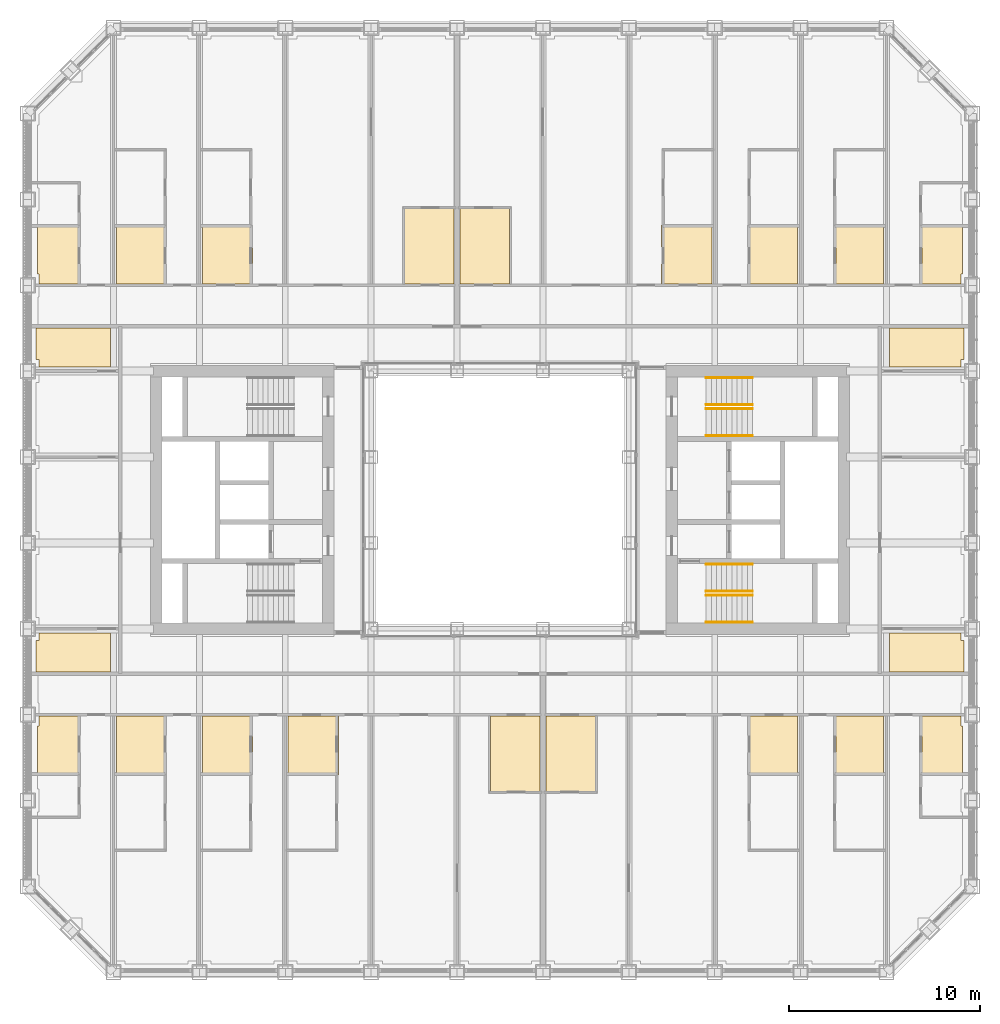
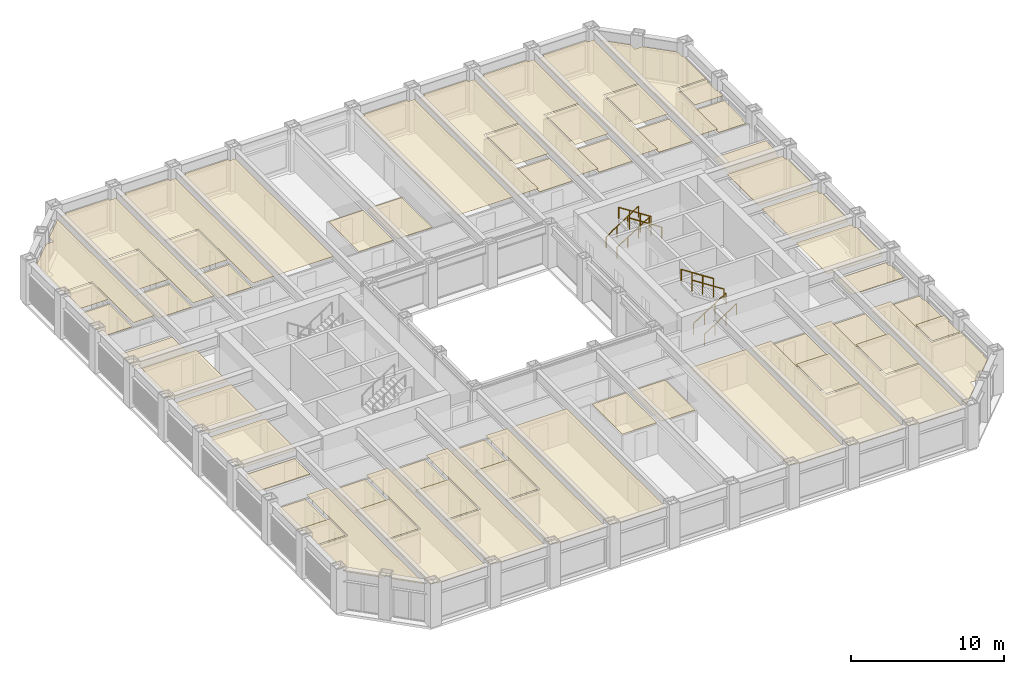
# One storey, part 20 of 21: 8 railings, 3 coverings.
"""IFC4 building model written with IfcOpenShell, lengths in metres."""

from ifc_helpers import new_model, si_unit, direction, frame, origin, origin_2d, place, context, subcontext, project, spatial, line, indexed_curve, circle, outline, extrude, material, layer, layer_set, type_object, element, save


model = new_model("IFC4")

# Units and contexts
model_context = context("Model", 3, precision=1e-05, world=origin(), true_north=direction((0.0, 1.0)))
body_context = subcontext(model_context, "Body", "Model", "MODEL_VIEW")
ifc_project = project(units=[si_unit("LENGTHUNIT", "METRE"), si_unit("AREAUNIT", "SQUARE_METRE"), si_unit("VOLUMEUNIT", "CUBIC_METRE"), si_unit("PLANEANGLEUNIT", "RADIAN"), si_unit("MASSUNIT", "GRAM", prefix="KILO")], contexts=[model_context])

# Site, building, storey
site_placement = place(None, origin())
site = spatial("IfcSite", under=ifc_project, at=site_placement, CompositionType="ELEMENT")
building_placement = place(site_placement, origin())
building = spatial("IfcBuilding", under=site, at=building_placement, Name="Msasa Ring Tower", CompositionType="ELEMENT")
storey_placement = place(building_placement, frame((0.0, 0.0, 82.5)))
storey = spatial("IfcBuildingStorey", under=building, at=storey_placement, Name="L21", CompositionType="ELEMENT", Elevation=82.5)

# Coverings
ifc_material_1 = material(Name="Gypsum plasterboard on a steel suspension grid", Category="steel")
ifc_layer_1 = layer(ifc_material_1, 0.014892578125)
ifc_layer_set_1 = layer_set([ifc_layer_1], Name="C1 SUSPENDED PLASTERBOARD CEILING 15")
covering_type_1 = type_object("IfcCoveringType", Name="C1 SUSPENDED PLASTERBOARD CEILING 15", PredefinedType="CEILING", material=ifc_layer_set_1)
covering_1_placement = place(storey_placement, frame((0.0, 0.0, 2.699951171875)))
element("IfcCovering", 1, at=covering_1_placement, inside=storey, type_object=covering_type_1, Name="Suspended Plasterboard Ceiling 15 L21", PredefinedType="CEILING", context=body_context, shape_type="SweptSolid", body=[
    extrude(outline(indexed_curve([(-24.299560546875, -2.8505859375), (-24.1494140625, -2.8505859375), (-24.1494140625, -2.460693359375), (-20.00048828125, -2.460693359375), (-20.00048828125, -6.539306640625), (-24.1494140625, -6.539306640625), (-24.1494140625, -6.1494140625), (-24.299560546875, -6.1494140625)], segments=[line(1, 2, 3, 4, 5, 6, 7, 8, 1)], self_intersect=False)), origin(), (0.0, 0.0, 1.0), 0.01513671875),
    extrude(outline(indexed_curve([(-24.299560546875, 1.6494140625), (-24.1494140625, 1.6494140625), (-24.1494140625, 2.039306640625), (-20.00048828125, 2.039306640625), (-20.00048828125, -2.039306640625), (-24.1494140625, -2.039306640625), (-24.1494140625, -1.6494140625), (-24.299560546875, -1.6494140625)], segments=[line(1, 2, 3, 4, 5, 6, 7, 8, 1)], self_intersect=False)), origin(), (0.0, 0.0, 1.0), 0.01513671875),
    extrude(outline(indexed_curve([(-24.299560546875, 6.1494140625), (-24.1494140625, 6.1494140625), (-24.1494140625, 6.539306640625), (-20.00048828125, 6.539306640625), (-20.00048828125, 2.460693359375), (-24.1494140625, 2.460693359375), (-24.1494140625, 2.8505859375), (-24.299560546875, 2.8505859375)], segments=[line(1, 2, 3, 4, 5, 6, 7, 8, 1)], self_intersect=False)), origin(), (0.0, 0.0, 1.0), 0.01513671875),
    extrude(outline(indexed_curve([(-22.1005859375, -16.568115234375), (-24.239501953125, -16.568115234375), (-24.239501953125, -16.3505859375), (-24.1494140625, -16.3505859375), (-24.1494140625, -15.1494140625), (-24.239501953125, -15.1494140625), (-24.239501953125, -14.430419921875), (-22.1005859375, -14.430419921875)], segments=[line(1, 2, 3, 4, 5, 6, 7, 8, 1)], self_intersect=False)), origin(), (0.0, 0.0, 1.0), 0.01513671875),
    extrude(outline(indexed_curve([(-22.1005859375, 16.568115234375), (-22.1005859375, 14.430419921875), (-24.239501953125, 14.430419921875), (-24.239501953125, 15.1494140625), (-24.1494140625, 15.1494140625), (-24.1494140625, 16.3505859375), (-24.239501953125, 16.3505859375), (-24.239501953125, 16.568115234375)], segments=[line(1, 2, 3, 4, 5, 6, 7, 8, 1)], self_intersect=False)), origin(), (0.0, 0.0, 1.0), 0.01513671875),
    extrude(outline(indexed_curve([(-21.8994140625, -22.46337890625), (-21.8994140625, -21.8994140625), (-22.46337890625, -21.8994140625), (-24.1494140625, -20.21337890625), (-24.1494140625, -19.6494140625), (-24.23193359375, -19.6494140625), (-24.23193359375, -16.674072265625), (-21.99951171875, -16.674072265625), (-21.99951171875, -11.31298828125), (-20.404296875, -11.31298828125), (-20.404296875, -23.95849609375)], segments=[line(1, 2, 3, 4, 5, 6, 7, 8, 9, 10, 11, 1)], self_intersect=False)), origin(), (0.0, 0.0, 1.0), 0.01513671875),
    extrude(outline(indexed_curve([(-22.46337890625, 21.8994140625), (-21.8994140625, 21.8994140625), (-21.8994140625, 22.46337890625), (-20.404296875, 23.95849609375), (-20.404296875, 11.31298828125), (-21.99951171875, 11.31298828125), (-21.99951171875, 16.674072265625), (-24.23193359375, 16.674072265625), (-24.23193359375, 19.6494140625), (-24.1494140625, 19.6494140625), (-24.1494140625, 20.21337890625)], segments=[line(1, 2, 3, 4, 5, 6, 7, 8, 9, 10, 11, 1)], self_intersect=False)), origin(), (0.0, 0.0, 1.0), 0.01513671875),
    extrude(outline(indexed_curve([(-15.904296875, -11.31298828125), (-15.904296875, -24.1494140625), (-16.3505859375, -24.1494140625), (-16.3505859375, -24.299560546875), (-19.6494140625, -24.299560546875), (-19.6494140625, -24.1494140625), (-20.095703125, -24.1494140625), (-20.095703125, -18.40087890625), (-17.49951171875, -18.40087890625), (-17.49951171875, -11.31298828125)], segments=[line(1, 2, 3, 4, 5, 6, 7, 8, 9, 10, 1)], self_intersect=False)), origin(), (0.0, 0.0, 1.0), 0.01513671875),
    extrude(outline(indexed_curve([(-17.6005859375, -18.294921875), (-20.095703125, -18.294921875), (-20.095703125, -14.430419921875), (-17.6005859375, -14.430419921875)], segments=[line(1, 2, 3, 4, 1)], self_intersect=False)), origin(), (0.0, 0.0, 1.0), 0.01513671875),
    extrude(outline(indexed_curve([(-17.49951171875, 11.31298828125), (-17.49951171875, 18.40087890625), (-20.095703125, 18.40087890625), (-20.095703125, 24.1494140625), (-19.6494140625, 24.1494140625), (-19.6494140625, 24.299560546875), (-16.3505859375, 24.299560546875), (-16.3505859375, 24.1494140625), (-15.904296875, 24.1494140625), (-15.904296875, 11.31298828125)], segments=[line(1, 2, 3, 4, 5, 6, 7, 8, 9, 10, 1)], self_intersect=False)), origin(), (0.0, 0.0, 1.0), 0.01513671875),
    extrude(outline(indexed_curve([(-17.6005859375, 18.294921875), (-17.6005859375, 14.430419921875), (-20.095703125, 14.430419921875), (-20.095703125, 18.294921875)], segments=[line(1, 2, 3, 4, 1)], self_intersect=False)), origin(), (0.0, 0.0, 1.0), 0.01513671875),
    extrude(outline(indexed_curve([(-15.1494140625, -24.299560546875), (-15.1494140625, -24.1494140625), (-15.595703125, -24.1494140625), (-15.595703125, -18.403564453125), (-12.99951171875, -18.403564453125), (-12.99951171875, -11.31298828125), (-11.404296875, -11.31298828125), (-11.404296875, -24.1494140625), (-11.8505859375, -24.1494140625), (-11.8505859375, -24.299560546875)], segments=[line(1, 2, 3, 4, 5, 6, 7, 8, 9, 10, 1)], self_intersect=False)), origin(), (0.0, 0.0, 1.0), 0.01513671875),
    extrude(outline(indexed_curve([(-13.1005859375, -14.430419921875), (-13.1005859375, -18.297607421875), (-15.595703125, -18.297607421875), (-15.595703125, -14.430419921875)], segments=[line(1, 2, 3, 4, 1)], self_intersect=False)), origin(), (0.0, 0.0, 1.0), 0.01513671875),
    extrude(outline(indexed_curve([(-12.99951171875, 11.31298828125), (-12.99951171875, 18.403564453125), (-15.595703125, 18.403564453125), (-15.595703125, 24.1494140625), (-15.1494140625, 24.1494140625), (-15.1494140625, 24.299560546875), (-11.8505859375, 24.299560546875), (-11.8505859375, 24.1494140625), (-11.404296875, 24.1494140625), (-11.404296875, 11.31298828125)], segments=[line(1, 2, 3, 4, 5, 6, 7, 8, 9, 10, 1)], self_intersect=False)), origin(), (0.0, 0.0, 1.0), 0.01513671875),
    extrude(outline(indexed_curve([(-13.1005859375, 18.297607421875), (-13.1005859375, 14.430419921875), (-15.595703125, 14.430419921875), (-15.595703125, 18.297607421875)], segments=[line(1, 2, 3, 4, 1)], self_intersect=False)), origin(), (0.0, 0.0, 1.0), 0.01513671875),
    extrude(outline(indexed_curve([(-10.6494140625, -24.299560546875), (-10.6494140625, -24.1494140625), (-11.095703125, -24.1494140625), (-11.095703125, -18.403564453125), (-8.49951171875, -18.403564453125), (-8.49951171875, -11.31298828125), (-6.904296875, -11.31298828125), (-6.904296875, -24.1494140625), (-7.3505859375, -24.1494140625), (-7.3505859375, -24.299560546875)], segments=[line(1, 2, 3, 4, 5, 6, 7, 8, 9, 10, 1)], self_intersect=False)), origin(), (0.0, 0.0, 1.0), 0.01513671875),
    extrude(outline(indexed_curve([(-8.6005859375, -14.430419921875), (-8.6005859375, -18.297607421875), (-11.095703125, -18.297607421875), (-11.095703125, -14.430419921875)], segments=[line(1, 2, 3, 4, 1)], self_intersect=False)), origin(), (0.0, 0.0, 1.0), 0.01513671875),
    extrude(outline(indexed_curve([(-7.3505859375, 24.299560546875), (-7.3505859375, 24.1494140625), (-6.904296875, 24.1494140625), (-6.904296875, 11.31298828125), (-11.095703125, 11.31298828125), (-11.095703125, 24.1494140625), (-10.6494140625, 24.1494140625), (-10.6494140625, 24.299560546875)], segments=[line(1, 2, 3, 4, 5, 6, 7, 8, 1)], self_intersect=False)), origin(), (0.0, 0.0, 1.0), 0.01513671875),
    extrude(outline(indexed_curve([(-6.1494140625, -24.299560546875), (-6.1494140625, -24.1494140625), (-6.595703125, -24.1494140625), (-6.595703125, -11.31298828125), (-2.404296875, -11.31298828125), (-2.404296875, -24.1494140625), (-2.8505859375, -24.1494140625), (-2.8505859375, -24.299560546875)], segments=[line(1, 2, 3, 4, 5, 6, 7, 8, 1)], self_intersect=False)), origin(), (0.0, 0.0, 1.0), 0.01513671875),
    extrude(outline(indexed_curve([(6.1494140625, 24.299560546875), (6.1494140625, 24.1494140625), (6.595703125, 24.1494140625), (6.595703125, 11.31298828125), (2.404296875, 11.31298828125), (2.404296875, 24.1494140625), (2.8505859375, 24.1494140625), (2.8505859375, 24.299560546875)], segments=[line(1, 2, 3, 4, 5, 6, 7, 8, 1)], self_intersect=False)), origin(), (0.0, 0.0, 1.0), 0.01513671875),
    extrude(outline(indexed_curve([(7.3505859375, -24.299560546875), (7.3505859375, -24.1494140625), (6.904296875, -24.1494140625), (6.904296875, -11.31298828125), (11.095703125, -11.31298828125), (11.095703125, -24.1494140625), (10.6494140625, -24.1494140625), (10.6494140625, -24.299560546875)], segments=[line(1, 2, 3, 4, 5, 6, 7, 8, 1)], self_intersect=False)), origin(), (0.0, 0.0, 1.0), 0.01513671875),
    extrude(outline(indexed_curve([(10.6494140625, 24.299560546875), (10.6494140625, 24.1494140625), (11.095703125, 24.1494140625), (11.095703125, 18.403564453125), (8.49951171875, 18.403564453125), (8.49951171875, 11.31298828125), (6.904296875, 11.31298828125), (6.904296875, 24.1494140625), (7.3505859375, 24.1494140625), (7.3505859375, 24.299560546875)], segments=[line(1, 2, 3, 4, 5, 6, 7, 8, 9, 10, 1)], self_intersect=False)), origin(), (0.0, 0.0, 1.0), 0.01513671875),
    extrude(outline(indexed_curve([(11.095703125, 18.297607421875), (11.095703125, 14.430419921875), (8.6005859375, 14.430419921875), (8.6005859375, 18.297607421875)], segments=[line(1, 2, 3, 4, 1)], self_intersect=False)), origin(), (0.0, 0.0, 1.0), 0.01513671875),
    extrude(outline(indexed_curve([(12.99951171875, -11.31298828125), (12.99951171875, -18.403564453125), (15.595703125, -18.403564453125), (15.595703125, -24.1494140625), (15.1494140625, -24.1494140625), (15.1494140625, -24.299560546875), (11.8505859375, -24.299560546875), (11.8505859375, -24.1494140625), (11.404296875, -24.1494140625), (11.404296875, -11.31298828125)], segments=[line(1, 2, 3, 4, 5, 6, 7, 8, 9, 10, 1)], self_intersect=False)), origin(), (0.0, 0.0, 1.0), 0.01513671875),
    extrude(outline(indexed_curve([(15.1494140625, 24.299560546875), (15.1494140625, 24.1494140625), (15.595703125, 24.1494140625), (15.595703125, 18.403564453125), (12.99951171875, 18.403564453125), (12.99951171875, 11.31298828125), (11.404296875, 11.31298828125), (11.404296875, 24.1494140625), (11.8505859375, 24.1494140625), (11.8505859375, 24.299560546875)], segments=[line(1, 2, 3, 4, 5, 6, 7, 8, 9, 10, 1)], self_intersect=False)), origin(), (0.0, 0.0, 1.0), 0.01513671875),
    extrude(outline(indexed_curve([(15.595703125, -14.430419921875), (15.595703125, -18.297607421875), (13.1005859375, -18.297607421875), (13.1005859375, -14.430419921875)], segments=[line(1, 2, 3, 4, 1)], self_intersect=False)), origin(), (0.0, 0.0, 1.0), 0.01513671875),
    extrude(outline(indexed_curve([(15.595703125, 18.297607421875), (15.595703125, 14.430419921875), (13.1005859375, 14.430419921875), (13.1005859375, 18.297607421875)], segments=[line(1, 2, 3, 4, 1)], self_intersect=False)), origin(), (0.0, 0.0, 1.0), 0.01513671875),
    extrude(outline(indexed_curve([(16.3505859375, -24.299560546875), (16.3505859375, -24.1494140625), (15.904296875, -24.1494140625), (15.904296875, -11.31298828125), (17.49951171875, -11.31298828125), (17.49951171875, -18.40087890625), (20.095703125, -18.40087890625), (20.095703125, -24.1494140625), (19.6494140625, -24.1494140625), (19.6494140625, -24.299560546875)], segments=[line(1, 2, 3, 4, 5, 6, 7, 8, 9, 10, 1)], self_intersect=False)), origin(), (0.0, 0.0, 1.0), 0.01513671875),
    extrude(outline(indexed_curve([(19.6494140625, 24.299560546875), (19.6494140625, 24.1494140625), (20.095703125, 24.1494140625), (20.095703125, 18.40087890625), (17.49951171875, 18.40087890625), (17.49951171875, 11.31298828125), (15.904296875, 11.31298828125), (15.904296875, 24.1494140625), (16.3505859375, 24.1494140625), (16.3505859375, 24.299560546875)], segments=[line(1, 2, 3, 4, 5, 6, 7, 8, 9, 10, 1)], self_intersect=False)), origin(), (0.0, 0.0, 1.0), 0.01513671875),
    extrude(outline(indexed_curve([(20.095703125, -14.430419921875), (20.095703125, -18.294921875), (17.6005859375, -18.294921875), (17.6005859375, -14.430419921875)], segments=[line(1, 2, 3, 4, 1)], self_intersect=False)), origin(), (0.0, 0.0, 1.0), 0.01513671875),
    extrude(outline(indexed_curve([(20.095703125, 18.294921875), (20.095703125, 14.430419921875), (17.6005859375, 14.430419921875), (17.6005859375, 18.294921875)], segments=[line(1, 2, 3, 4, 1)], self_intersect=False)), origin(), (0.0, 0.0, 1.0), 0.01513671875),
    extrude(outline(indexed_curve([(24.299560546875, -6.1494140625), (24.1494140625, -6.1494140625), (24.1494140625, -6.539306640625), (20.00048828125, -6.539306640625), (20.00048828125, -2.460693359375), (24.1494140625, -2.460693359375), (24.1494140625, -2.8505859375), (24.299560546875, -2.8505859375)], segments=[line(1, 2, 3, 4, 5, 6, 7, 8, 1)], self_intersect=False)), origin(), (0.0, 0.0, 1.0), 0.01513671875),
    extrude(outline(indexed_curve([(24.299560546875, -1.6494140625), (24.1494140625, -1.6494140625), (24.1494140625, -2.039306640625), (20.00048828125, -2.039306640625), (20.00048828125, 2.039306640625), (24.1494140625, 2.039306640625), (24.1494140625, 1.6494140625), (24.299560546875, 1.6494140625)], segments=[line(1, 2, 3, 4, 5, 6, 7, 8, 1)], self_intersect=False)), origin(), (0.0, 0.0, 1.0), 0.01513671875),
    extrude(outline(indexed_curve([(24.299560546875, 2.8505859375), (24.1494140625, 2.8505859375), (24.1494140625, 2.460693359375), (20.00048828125, 2.460693359375), (20.00048828125, 6.539306640625), (24.1494140625, 6.539306640625), (24.1494140625, 6.1494140625), (24.299560546875, 6.1494140625)], segments=[line(1, 2, 3, 4, 5, 6, 7, 8, 1)], self_intersect=False)), origin(), (0.0, 0.0, 1.0), 0.01513671875),
    extrude(outline(indexed_curve([(22.46337890625, -21.8994140625), (21.8994140625, -21.8994140625), (21.8994140625, -22.46337890625), (20.404296875, -23.95849609375), (20.404296875, -11.31298828125), (21.99951171875, -11.31298828125), (21.99951171875, -16.674072265625), (24.23193359375, -16.674072265625), (24.23193359375, -19.6494140625), (24.1494140625, -19.6494140625), (24.1494140625, -20.21337890625)], segments=[line(1, 2, 3, 4, 5, 6, 7, 8, 9, 10, 11, 1)], self_intersect=False)), origin(), (0.0, 0.0, 1.0), 0.01513671875),
    extrude(outline(indexed_curve([(21.8994140625, 22.46337890625), (21.8994140625, 21.8994140625), (22.46337890625, 21.8994140625), (24.1494140625, 20.21337890625), (24.1494140625, 19.6494140625), (24.23193359375, 19.6494140625), (24.23193359375, 16.674072265625), (21.99951171875, 16.674072265625), (21.99951171875, 11.31298828125), (20.404296875, 11.31298828125), (20.404296875, 23.95849609375)], segments=[line(1, 2, 3, 4, 5, 6, 7, 8, 9, 10, 11, 1)], self_intersect=False)), origin(), (0.0, 0.0, 1.0), 0.01513671875),
    extrude(outline(indexed_curve([(24.239501953125, -14.430419921875), (24.239501953125, -15.1494140625), (24.1494140625, -15.1494140625), (24.1494140625, -16.3505859375), (24.239501953125, -16.3505859375), (24.239501953125, -16.568115234375), (22.1005859375, -16.568115234375), (22.1005859375, -14.430419921875)], segments=[line(1, 2, 3, 4, 5, 6, 7, 8, 1)], self_intersect=False)), origin(), (0.0, 0.0, 1.0), 0.01513671875),
    extrude(outline(indexed_curve([(24.239501953125, 16.568115234375), (24.239501953125, 16.3505859375), (24.1494140625, 16.3505859375), (24.1494140625, 15.1494140625), (24.239501953125, 15.1494140625), (24.239501953125, 14.430419921875), (22.1005859375, 14.430419921875), (22.1005859375, 16.568115234375)], segments=[line(1, 2, 3, 4, 5, 6, 7, 8, 1)], self_intersect=False)), origin(), (0.0, 0.0, 1.0), 0.01513671875),
])
ifc_material_2 = material(Name="Moisture-resistant gypsum plasterboard on a steel suspension grid", Category="steel")
ifc_layer_2 = layer(ifc_material_2, 0.014892578125)
ifc_layer_set_2 = layer_set([ifc_layer_2], Name="C2 MOISTURE-RESISTANT PLASTERBOARD CEILING 15")
covering_type_2 = type_object("IfcCoveringType", Name="C2 MOISTURE-RESISTANT PLASTERBOARD CEILING 15", PredefinedType="CEILING", material=ifc_layer_set_2)
covering_2_placement = place(storey_placement, frame((0.0, 0.0, 2.39990234375)))
element("IfcCovering", 2, at=covering_2_placement, inside=storey, type_object=covering_type_2, Name="Moisture-Resistant Plasterboard Ceiling 15 L21", PredefinedType="CEILING", context=body_context, shape_type="SweptSolid", body=[
    extrude(outline(indexed_curve([(-24.299560546875, 8.99951171875), (-20.404296875, 8.99951171875), (-20.404296875, 6.960693359375), (-24.1494140625, 6.960693359375), (-24.1494140625, 7.3505859375), (-24.299560546875, 7.3505859375)], segments=[line(1, 2, 3, 4, 5, 6, 1)], self_intersect=False)), origin(), (0.0, 0.0, 1.0), 0.01513671875),
    extrude(outline(indexed_curve([(-24.239501953125, -11.8505859375), (-24.1494140625, -11.8505859375), (-24.1494140625, -11.31298828125), (-22.1005859375, -11.31298828125), (-22.1005859375, -14.299560546875), (-24.239501953125, -14.299560546875)], segments=[line(1, 2, 3, 4, 5, 6, 1)], self_intersect=False)), origin(), (0.0, 0.0, 1.0), 0.01513671875),
    extrude(outline(indexed_curve([(-24.239501953125, 14.299560546875), (-22.1005859375, 14.299560546875), (-22.1005859375, 11.31298828125), (-24.1494140625, 11.31298828125), (-24.1494140625, 11.8505859375), (-24.239501953125, 11.8505859375)], segments=[line(1, 2, 3, 4, 5, 6, 1)], self_intersect=False)), origin(), (0.0, 0.0, 1.0), 0.01513671875),
    extrude(outline(indexed_curve([(-17.6005859375, -11.31298828125), (-17.6005859375, -14.299560546875), (-20.095703125, -14.299560546875), (-20.095703125, -11.31298828125)], segments=[line(1, 2, 3, 4, 1)], self_intersect=False)), origin(), (0.0, 0.0, 1.0), 0.01513671875),
    extrude(outline(indexed_curve([(-17.6005859375, 14.299560546875), (-17.6005859375, 11.31298828125), (-20.095703125, 11.31298828125), (-20.095703125, 14.299560546875)], segments=[line(1, 2, 3, 4, 1)], self_intersect=False)), origin(), (0.0, 0.0, 1.0), 0.01513671875),
    extrude(outline(indexed_curve([(-13.1005859375, -11.31298828125), (-13.1005859375, -14.299560546875), (-15.595703125, -14.299560546875), (-15.595703125, -11.31298828125)], segments=[line(1, 2, 3, 4, 1)], self_intersect=False)), origin(), (0.0, 0.0, 1.0), 0.01513671875),
    extrude(outline(indexed_curve([(-13.1005859375, 14.299560546875), (-13.1005859375, 11.31298828125), (-15.595703125, 11.31298828125), (-15.595703125, 14.299560546875)], segments=[line(1, 2, 3, 4, 1)], self_intersect=False)), origin(), (0.0, 0.0, 1.0), 0.01513671875),
    extrude(outline(indexed_curve([(-8.6005859375, -11.31298828125), (-8.6005859375, -14.299560546875), (-11.095703125, -14.299560546875), (-11.095703125, -11.31298828125)], segments=[line(1, 2, 3, 4, 1)], self_intersect=False)), origin(), (0.0, 0.0, 1.0), 0.01513671875),
    extrude(outline(indexed_curve([(8.6005859375, 14.299560546875), (11.095703125, 14.299560546875), (11.095703125, 11.31298828125), (8.6005859375, 11.31298828125)], segments=[line(1, 2, 3, 4, 1)], self_intersect=False)), origin(), (0.0, 0.0, 1.0), 0.01513671875),
    extrude(outline(indexed_curve([(13.1005859375, -11.31298828125), (15.595703125, -11.31298828125), (15.595703125, -14.299560546875), (13.1005859375, -14.299560546875)], segments=[line(1, 2, 3, 4, 1)], self_intersect=False)), origin(), (0.0, 0.0, 1.0), 0.01513671875),
    extrude(outline(indexed_curve([(13.1005859375, 14.299560546875), (15.595703125, 14.299560546875), (15.595703125, 11.31298828125), (13.1005859375, 11.31298828125)], segments=[line(1, 2, 3, 4, 1)], self_intersect=False)), origin(), (0.0, 0.0, 1.0), 0.01513671875),
    extrude(outline(indexed_curve([(17.6005859375, -11.31298828125), (20.095703125, -11.31298828125), (20.095703125, -14.299560546875), (17.6005859375, -14.299560546875)], segments=[line(1, 2, 3, 4, 1)], self_intersect=False)), origin(), (0.0, 0.0, 1.0), 0.01513671875),
    extrude(outline(indexed_curve([(17.6005859375, 14.299560546875), (20.095703125, 14.299560546875), (20.095703125, 11.31298828125), (17.6005859375, 11.31298828125)], segments=[line(1, 2, 3, 4, 1)], self_intersect=False)), origin(), (0.0, 0.0, 1.0), 0.01513671875),
    extrude(outline(indexed_curve([(24.299560546875, 8.99951171875), (24.299560546875, 7.3505859375), (24.1494140625, 7.3505859375), (24.1494140625, 6.960693359375), (20.404296875, 6.960693359375), (20.404296875, 8.99951171875)], segments=[line(1, 2, 3, 4, 5, 6, 1)], self_intersect=False)), origin(), (0.0, 0.0, 1.0), 0.01513671875),
    extrude(outline(indexed_curve([(22.1005859375, -11.31298828125), (24.1494140625, -11.31298828125), (24.1494140625, -11.8505859375), (24.239501953125, -11.8505859375), (24.239501953125, -14.299560546875), (22.1005859375, -14.299560546875)], segments=[line(1, 2, 3, 4, 5, 6, 1)], self_intersect=False)), origin(), (0.0, 0.0, 1.0), 0.01513671875),
    extrude(outline(indexed_curve([(22.1005859375, 14.299560546875), (24.239501953125, 14.299560546875), (24.239501953125, 11.8505859375), (24.1494140625, 11.8505859375), (24.1494140625, 11.31298828125), (22.1005859375, 11.31298828125)], segments=[line(1, 2, 3, 4, 5, 6, 1)], self_intersect=False)), origin(), (0.0, 0.0, 1.0), 0.01513671875),
])
ifc_material_3 = material(Name="Perforated aluminium ceiling pans on a steel grid", Category="steel")
ifc_layer_3 = layer(ifc_material_3, 0.02490234375)
ifc_layer_set_3 = layer_set([ifc_layer_3], Name="C4 PERFORATED METAL PAN CEILING 25")
covering_type_3 = type_object("IfcCoveringType", Name="C4 PERFORATED METAL PAN CEILING 25", PredefinedType="CEILING", material=ifc_layer_set_3)
covering_3_placement = place(storey_placement, frame((0.0, 0.0, 2.39990234375)))
element("IfcCovering", 3, at=covering_3_placement, inside=storey, type_object=covering_type_3, Name="Perforated Metal Pan Ceiling 25 L21", PredefinedType="CEILING", context=body_context, shape_type="SweptSolid", body=[
    extrude(outline(indexed_curve([(-24.299560546875, -8.99951171875), (-24.299560546875, -7.3505859375), (-24.1494140625, -7.3505859375), (-24.1494140625, -6.960693359375), (-20.404296875, -6.960693359375), (-20.404296875, -8.99951171875)], segments=[line(1, 2, 3, 4, 5, 6, 1)], self_intersect=False)), origin(), (0.0, 0.0, 1.0), 0.025146484375),
    extrude(outline(indexed_curve([(-4.99951171875, 11.31298828125), (-4.99951171875, 15.261962890625), (-2.404296875, 15.261962890625), (-2.404296875, 11.31298828125)], segments=[line(1, 2, 3, 4, 1)], self_intersect=False)), origin(), (0.0, 0.0, 1.0), 0.025146484375),
    extrude(outline(indexed_curve([(-2.095703125, 11.31298828125), (-2.095703125, 15.261962890625), (0.49951171875, 15.261962890625), (0.49951171875, 11.31298828125)], segments=[line(1, 2, 3, 4, 1)], self_intersect=False)), origin(), (0.0, 0.0, 1.0), 0.025146484375),
    extrude(outline(indexed_curve([(-0.49951171875, -15.261962890625), (-0.49951171875, -11.31298828125), (2.095703125, -11.31298828125), (2.095703125, -15.261962890625)], segments=[line(1, 2, 3, 4, 1)], self_intersect=False)), origin(), (0.0, 0.0, 1.0), 0.025146484375),
    extrude(outline(indexed_curve([(2.404296875, -15.261962890625), (2.404296875, -11.31298828125), (4.99951171875, -11.31298828125), (4.99951171875, -15.261962890625)], segments=[line(1, 2, 3, 4, 1)], self_intersect=False)), origin(), (0.0, 0.0, 1.0), 0.025146484375),
    extrude(outline(indexed_curve([(24.299560546875, -8.99951171875), (20.404296875, -8.99951171875), (20.404296875, -6.960693359375), (24.1494140625, -6.960693359375), (24.1494140625, -7.3505859375), (24.299560546875, -7.3505859375)], segments=[line(1, 2, 3, 4, 5, 6, 1)], self_intersect=False)), origin(), (0.0, 0.0, 1.0), 0.025146484375),
])

# Railings
ifc_material_4 = material(Name="Stainless steel", Category="steel")
railing_type = type_object("IfcRailingType", Name="HR1 HANDRAIL 900", PredefinedType="HANDRAIL", material=ifc_material_4)
for number, where, name in (
    (4, (10.800048828125, -6.39990234375, 0.175048828125), "Handrail stair SEA L21 1"),
    (5, (10.800048828125, -5.0, 0.175048828125), "Handrail stair SEA L21 2"),
):
    element("IfcRailing", number, at=place(storey_placement, frame(where)), inside=storey, type_object=railing_type, Name=name, PredefinedType="HANDRAIL", context=body_context, shape_type="SweptSolid", body=[
        extrude(circle(Radius=0.02392578125, at=origin_2d()), frame((0.0, 0.0, 0.8759765625), z_axis=(0.839153699163, 0.0, 0.543894354798), x_axis=(0.0, 1.0, 0.0)), (0.0, 0.0, 1.0), 2.895751953125),
        extrude(circle(Radius=0.02099609375, at=origin_2d()), origin(), (0.0, 0.0, 1.0), 0.851806640625),
        extrude(circle(Radius=0.02099609375, at=origin_2d()), frame((0.81005859375, 0.0, 0.52490234375)), (0.0, 0.0, 1.0), 0.851806640625),
        extrude(circle(Radius=0.02099609375, at=origin_2d()), frame((1.619873046875, 0.0, 1.050048828125)), (0.0, 0.0, 1.0), 0.851806640625),
        extrude(circle(Radius=0.02099609375, at=origin_2d()), frame((2.429931640625, 0.0, 1.574951171875)), (0.0, 0.0, 1.0), 0.851806640625),
    ])
for number, where, name in (
    (6, (13.22998046875, -4.77490234375, 1.925048828125), "Handrail stair SEA L21 3"),
    (7, (13.22998046875, -3.375, 1.925048828125), "Handrail stair SEA L21 4"),
):
    element("IfcRailing", number, at=place(storey_placement, frame(where)), inside=storey, type_object=railing_type, Name=name, PredefinedType="HANDRAIL", context=body_context, shape_type="SweptSolid", body=[
        extrude(circle(Radius=0.02392578125, at=origin_2d()), frame((0.0, 0.0, 0.8759765625), z_axis=(-0.839153699163, 0.0, 0.543894354798), x_axis=(0.0, -1.0, 0.0)), (0.0, 0.0, 1.0), 2.895751953125),
        extrude(circle(Radius=0.02099609375, at=origin_2d()), origin(), (0.0, 0.0, 1.0), 0.851806640625),
        extrude(circle(Radius=0.02099609375, at=origin_2d()), frame((-0.81005859375, 0.0, 0.52490234375)), (0.0, 0.0, 1.0), 0.851806640625),
        extrude(circle(Radius=0.02099609375, at=origin_2d()), frame((-1.619873046875, 0.0, 1.050048828125)), (0.0, 0.0, 1.0), 0.851806640625),
        extrude(circle(Radius=0.02099609375, at=origin_2d()), frame((-2.429931640625, 0.0, 1.574951171875)), (0.0, 0.0, 1.0), 0.851806640625),
    ])
for number, where, name in (
    (8, (10.800048828125, 5.0, 0.175048828125), "Handrail stair SEB L21 1"),
    (9, (10.800048828125, 6.39990234375, 0.175048828125), "Handrail stair SEB L21 2"),
):
    element("IfcRailing", number, at=place(storey_placement, frame(where)), inside=storey, type_object=railing_type, Name=name, PredefinedType="HANDRAIL", context=body_context, shape_type="SweptSolid", body=[
        extrude(circle(Radius=0.02392578125, at=origin_2d()), frame((0.0, 0.0, 0.8759765625), z_axis=(0.839153699163, 0.0, 0.543894354798), x_axis=(0.0, 1.0, 0.0)), (0.0, 0.0, 1.0), 2.895751953125),
        extrude(circle(Radius=0.02099609375, at=origin_2d()), origin(), (0.0, 0.0, 1.0), 0.851806640625),
        extrude(circle(Radius=0.02099609375, at=origin_2d()), frame((0.81005859375, 0.0, 0.52490234375)), (0.0, 0.0, 1.0), 0.851806640625),
        extrude(circle(Radius=0.02099609375, at=origin_2d()), frame((1.619873046875, 0.0, 1.050048828125)), (0.0, 0.0, 1.0), 0.851806640625),
        extrude(circle(Radius=0.02099609375, at=origin_2d()), frame((2.429931640625, 0.0, 1.574951171875)), (0.0, 0.0, 1.0), 0.851806640625),
    ])
for number, where, name in (
    (10, (13.22998046875, 3.375, 1.925048828125), "Handrail stair SEB L21 3"),
    (11, (13.22998046875, 4.77490234375, 1.925048828125), "Handrail stair SEB L21 4"),
):
    element("IfcRailing", number, at=place(storey_placement, frame(where)), inside=storey, type_object=railing_type, Name=name, PredefinedType="HANDRAIL", context=body_context, shape_type="SweptSolid", body=[
        extrude(circle(Radius=0.02392578125, at=origin_2d()), frame((0.0, 0.0, 0.8759765625), z_axis=(-0.839153699163, 0.0, 0.543894354798), x_axis=(0.0, -1.0, 0.0)), (0.0, 0.0, 1.0), 2.895751953125),
        extrude(circle(Radius=0.02099609375, at=origin_2d()), origin(), (0.0, 0.0, 1.0), 0.851806640625),
        extrude(circle(Radius=0.02099609375, at=origin_2d()), frame((-0.81005859375, 0.0, 0.52490234375)), (0.0, 0.0, 1.0), 0.851806640625),
        extrude(circle(Radius=0.02099609375, at=origin_2d()), frame((-1.619873046875, 0.0, 1.050048828125)), (0.0, 0.0, 1.0), 0.851806640625),
        extrude(circle(Radius=0.02099609375, at=origin_2d()), frame((-2.429931640625, 0.0, 1.574951171875)), (0.0, 0.0, 1.0), 0.851806640625),
    ])

save(model, "model.ifc")
